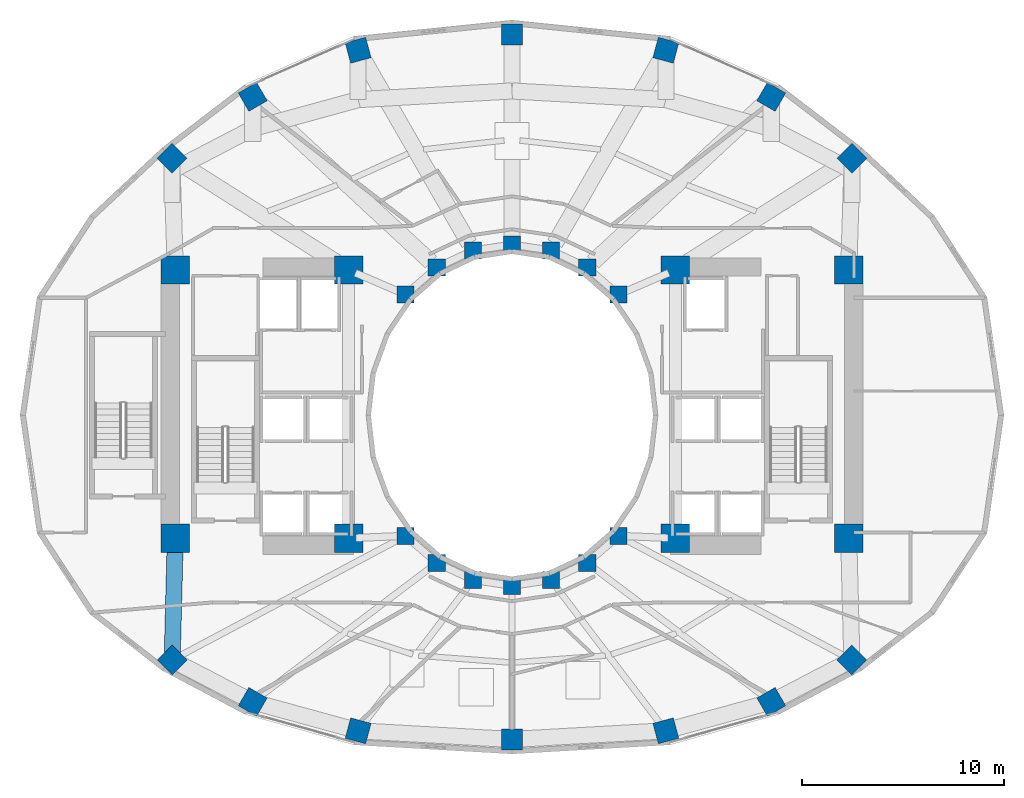
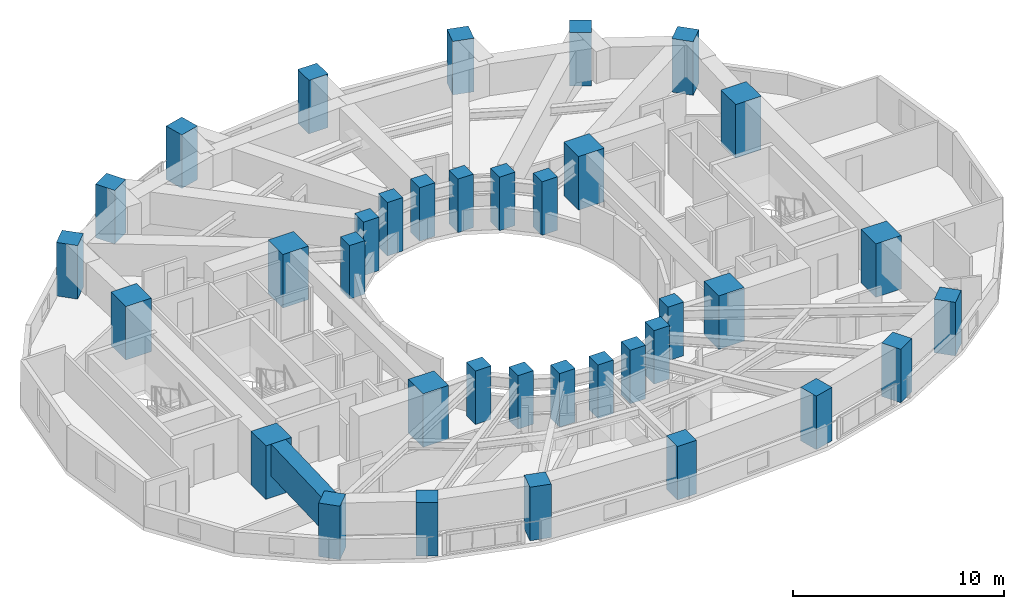
# One storey, part 1 of 16: 36 columns, 1 beam.
"""IFC4 building model written with IfcOpenShell, lengths in metres."""

from ifc_helpers import new_model, si_unit, direction, frame, origin, origin_2d, place, context, subcontext, project, spatial, rectangle, extrude, material, material_profile, profile_set, type_object, element, save


model = new_model("IFC4")

# Units and contexts
model_context = context("Model", 3, precision=1e-05, world=origin(), true_north=direction((0.0, 1.0)))
body_context = subcontext(model_context, "Body", "Model", "MODEL_VIEW")
ifc_project = project(units=[si_unit("LENGTHUNIT", "METRE"), si_unit("AREAUNIT", "SQUARE_METRE"), si_unit("VOLUMEUNIT", "CUBIC_METRE"), si_unit("PLANEANGLEUNIT", "RADIAN"), si_unit("MASSUNIT", "GRAM", prefix="KILO")], contexts=[model_context])

# Site, building, storey
site_placement = place(None, origin())
site = spatial("IfcSite", under=ifc_project, at=site_placement, CompositionType="ELEMENT")
building_placement = place(site_placement, origin())
building = spatial("IfcBuilding", under=site, at=building_placement, Name="Solvane Sanctuary Tower", CompositionType="ELEMENT")
storey_placement = place(building_placement, frame((0.0, 0.0, 82.5)))
storey = spatial("IfcBuildingStorey", under=building, at=storey_placement, Name="L24", CompositionType="ELEMENT", Elevation=82.5)

# Columns
ifc_material_1 = material(Name="Concrete C70/85", Category="concrete")
ifc_material_profile_1 = material_profile(ifc_material_1, rectangle(XDim=1.39990234375, YDim=1.39990234375, at=origin_2d()), Name="RC1400X1400")
ifc_profile_set_1 = profile_set([ifc_material_profile_1], Name="Concrete C70/85")
column_type_1 = type_object("IfcColumnType", Name="Column C-POD-INT RC1400X1400", PredefinedType="COLUMN", material=ifc_profile_set_1)
for number, where, z_axis, x_axis, name in (
    (1, (15.300048828125, 16.89990234375, 0.0), (0.0, 0.0, 1.0), (1.0, 0.0, 0.0), "L24 Core Corner Column CW1"),
    (2, (23.89990234375, 16.89990234375, 0.0), (0.0, 0.0, 1.0), (1.0, 0.0, 0.0), "L24 Core Corner Column CW2"),
    (3, (23.89990234375, 30.199951171875, 0.0), (0.0, 0.0, 1.0), (1.0, 0.0, 0.0), "L24 Core Corner Column CW3"),
    (4, (15.300048828125, 30.199951171875, 0.0), (0.0, 0.0, 1.0), (1.0, 0.0, 0.0), "L24 Core Corner Column CW4"),
    (5, (40.10009765625, 16.89990234375, 0.0), (0.0, 0.0, 1.0), (1.0, 0.0, 0.0), "L24 Core Corner Column CE1"),
    (6, (48.699951171875, 16.89990234375, 0.0), (0.0, 0.0, 1.0), (1.0, 0.0, 0.0), "L24 Core Corner Column CE2"),
    (7, (48.699951171875, 30.199951171875, 0.0), (0.0, 0.0, 1.0), (1.0, 0.0, 0.0), "L24 Core Corner Column CE3"),
    (8, (40.10009765625, 30.199951171875, 0.0), (0.0, 0.0, 1.0), (1.0, 0.0, 0.0), "L24 Core Corner Column CE4"),
):
    element("IfcColumn", number, at=place(storey_placement, frame(where, z_axis=z_axis, x_axis=x_axis)), inside=storey, type_object=column_type_1, Name=name, PredefinedType="COLUMN", context=body_context, shape_type="SweptSolid", body=[
        extrude(rectangle(XDim=1.39990234375, YDim=1.39990234375, at=origin_2d()), origin(), (0.0, 0.0, 1.0), 3.10009765625),
    ])
ifc_material_2 = material(Name="Concrete C60/75", Category="concrete")
ifc_material_profile_2 = material_profile(ifc_material_2, rectangle(XDim=0.85009765625, YDim=0.85009765625, at=origin_2d()), Name="RC850X850")
ifc_profile_set_2 = profile_set([ifc_material_profile_2], Name="Concrete C60/75")
column_type_2 = type_object("IfcColumnType", Name="Column C-RING-Z2 RC850X850", PredefinedType="COLUMN", material=ifc_profile_set_2)
for number, where, z_axis, x_axis, name in (
    (9, (37.27490234375, 28.982177734375, 0.0), (0.0, 0.0, 1.0), (1.0, 0.0, 0.0), "L24 Inner Light-Well Ring Column IC01"),
    (10, (35.72998046875, 30.32666015625, 0.0), (0.0, 0.0, 1.0), (1.0, 0.0, 0.0), "L24 Inner Light-Well Ring Column IC02"),
    (11, (33.930908203125, 31.171630859375, 0.0), (0.0, 0.0, 1.0), (1.0, 0.0, 0.0), "L24 Inner Light-Well Ring Column IC03"),
    (12, (32.0, 31.4599609375, 0.0), (0.0, 0.0, 1.0), (1.0, 0.0, 0.0), "L24 Inner Light-Well Ring Column IC04"),
    (13, (30.069091796875, 31.171630859375, 0.0), (0.0, 0.0, 1.0), (1.0, 0.0, 0.0), "L24 Inner Light-Well Ring Column IC05"),
    (14, (28.27001953125, 30.32666015625, 0.0), (0.0, 0.0, 1.0), (1.0, 0.0, 0.0), "L24 Inner Light-Well Ring Column IC06"),
    (15, (26.72509765625, 28.982177734375, 0.0), (0.0, 0.0, 1.0), (1.0, 0.0, 0.0), "L24 Inner Light-Well Ring Column IC07"),
    (16, (26.72509765625, 17.017822265625, 0.0), (0.0, 0.0, 1.0), (1.0, 0.0, 0.0), "L24 Inner Light-Well Ring Column IC08"),
    (17, (28.27001953125, 15.67333984375, 0.0), (0.0, 0.0, 1.0), (1.0, 0.0, 0.0), "L24 Inner Light-Well Ring Column IC09"),
    (18, (30.069091796875, 14.828369140625, 0.0), (0.0, 0.0, 1.0), (1.0, 0.0, 0.0), "L24 Inner Light-Well Ring Column IC10"),
    (19, (32.0, 14.5400390625, 0.0), (0.0, 0.0, 1.0), (1.0, 0.0, 0.0), "L24 Inner Light-Well Ring Column IC11"),
    (20, (33.930908203125, 14.828369140625, 0.0), (0.0, 0.0, 1.0), (1.0, 0.0, 0.0), "L24 Inner Light-Well Ring Column IC12"),
    (21, (35.72998046875, 15.67333984375, 0.0), (0.0, 0.0, 1.0), (1.0, 0.0, 0.0), "L24 Inner Light-Well Ring Column IC13"),
    (22, (37.27490234375, 17.017822265625, 0.0), (0.0, 0.0, 1.0), (1.0, 0.0, 0.0), "L24 Inner Light-Well Ring Column IC14"),
):
    element("IfcColumn", number, at=place(storey_placement, frame(where, z_axis=z_axis, x_axis=x_axis)), inside=storey, type_object=column_type_2, Name=name, PredefinedType="COLUMN", context=body_context, shape_type="SweptSolid", body=[
        extrude(rectangle(XDim=0.85009765625, YDim=0.85009765625, at=origin_2d()), origin(), (0.0, 0.0, 1.0), 3.10009765625),
    ])
ifc_material_profile_3 = material_profile(ifc_material_2, rectangle(XDim=1.050048828125, YDim=1.050048828125, at=origin_2d()), Name="RC1050X1050")
ifc_profile_set_3 = profile_set([ifc_material_profile_3], Name="Concrete C60/75")
column_type_3 = type_object("IfcColumnType", Name="Column C-TUBE-Z2 RC1050X1050", PredefinedType="COLUMN", material=ifc_profile_set_3)
for number, where, z_axis, x_axis, name in (
    (23, (48.85302734375, 35.742919921875, 0.0), (0.0, 0.0, 1.0), (0.707106781187, 0.707106781187, 0.0), "L24 Perimeter Tube Column TC01"),
    (24, (44.8583984375, 38.7861328125, 0.0), (0.0, 0.0, 1.0), (0.5, 0.866025403784, 0.0), "L24 Perimeter Tube Column TC02"),
    (25, (39.62939453125, 41.10009765625, 0.0), (0.0, 0.0, 1.0), (0.258819045103, 0.965925826289, 0.0), "L24 Perimeter Tube Column TC03"),
    (26, (32.0, 41.8798828125, 0.0), (0.0, 0.0, 1.0), (0.0, 1.0, 0.0), "L24 Perimeter Tube Column TC04"),
    (27, (24.37060546875, 41.10009765625, 0.0), (0.0, 0.0, 1.0), (-0.258819045103, 0.965925826289, 0.0), "L24 Perimeter Tube Column TC05"),
    (28, (19.1416015625, 38.7861328125, 0.0), (0.0, 0.0, 1.0), (-0.5, 0.866025403784, 0.0), "L24 Perimeter Tube Column TC06"),
    (29, (15.14697265625, 35.742919921875, 0.0), (0.0, 0.0, 1.0), (-0.707106781187, 0.707106781187, 0.0), "L24 Perimeter Tube Column TC07"),
    (30, (15.14697265625, 10.86181640625, 0.0), (0.0, 0.0, 1.0), (-0.707106781187, -0.707106781187, 0.0), "L24 Perimeter Tube Column TC08"),
    (31, (19.1416015625, 8.782470703125, 0.0), (0.0, 0.0, 1.0), (-0.5, -0.866025403784, 0.0), "L24 Perimeter Tube Column TC09"),
    (32, (24.37060546875, 7.347900390625, 0.0), (0.0, 0.0, 1.0), (-0.258819045103, -0.965925826289, 0.0), "L24 Perimeter Tube Column TC10"),
    (33, (32.0, 6.919921875, 0.0), (0.0, 0.0, 1.0), (0.0, -1.0, 0.0), "L24 Perimeter Tube Column TC11"),
    (34, (39.62939453125, 7.347900390625, 0.0), (0.0, 0.0, 1.0), (0.258819045103, -0.965925826289, 0.0), "L24 Perimeter Tube Column TC12"),
    (35, (44.8583984375, 8.782470703125, 0.0), (0.0, 0.0, 1.0), (0.5, -0.866025403784, 0.0), "L24 Perimeter Tube Column TC13"),
    (36, (48.85302734375, 10.86181640625, 0.0), (0.0, 0.0, 1.0), (0.707106781187, -0.707106781187, 0.0), "L24 Perimeter Tube Column TC14"),
):
    element("IfcColumn", number, at=place(storey_placement, frame(where, z_axis=z_axis, x_axis=x_axis)), inside=storey, type_object=column_type_3, Name=name, PredefinedType="COLUMN", context=body_context, shape_type="SweptSolid", body=[
        extrude(rectangle(XDim=1.050048828125, YDim=1.050048828125, at=origin_2d()), origin(), (0.0, 0.0, 1.0), 3.10009765625),
    ])

# Beam
ifc_material_profile_4 = material_profile(ifc_material_1, rectangle(XDim=0.800048828125, YDim=1.85009765625, at=origin_2d()), Name="RC800X1850")
ifc_profile_set_4 = profile_set([ifc_material_profile_4], Name="Concrete C70/85")
beam_type = type_object("IfcBeamType", Name="Beam B-XFER-BLK RC800X1850", PredefinedType="BEAM", material=ifc_profile_set_4)
beam_placement = place(storey_placement, frame((15.291015625, 16.5400390625, 2.175048828125), z_axis=(-0.025359457149, -0.999678397252, 0.0), x_axis=(0.999678397252, -0.025359457149, 0.0)))
element("IfcBeam", 37, at=beam_placement, inside=storey, type_object=beam_type, Name="L24 Perimeter Step Transfer Ring CW1-NTC08", PredefinedType="BEAM", context=body_context, shape_type="SweptSolid", body=[
    extrude(rectangle(XDim=0.800048828125, YDim=1.85009765625, at=origin_2d()), origin(), (0.0, 0.0, 1.0), 5.679931640625),
])

save(model, "model.ifc")
